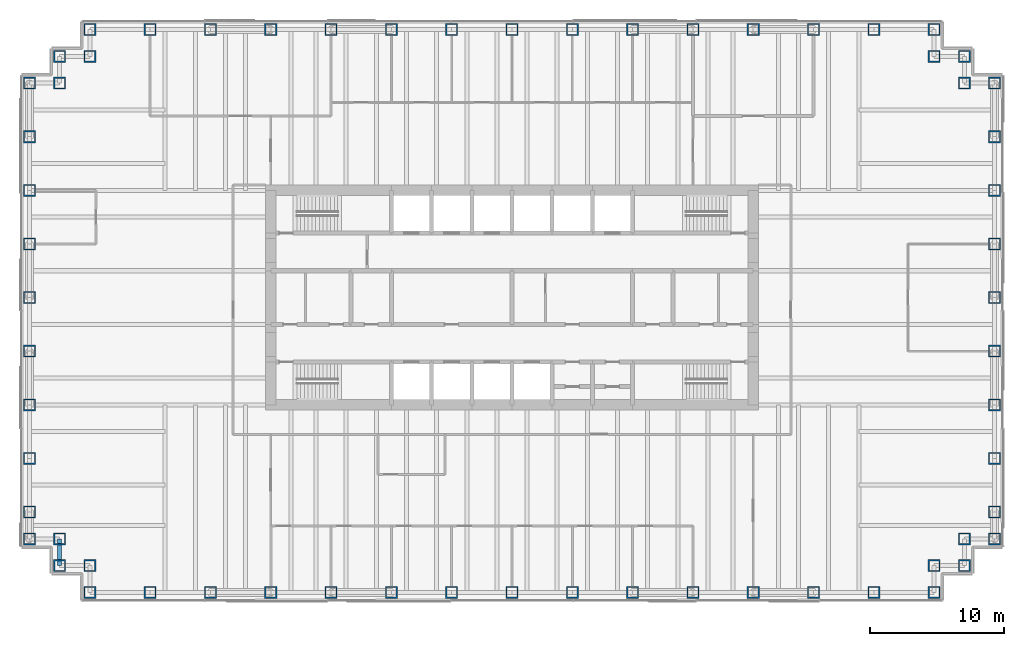
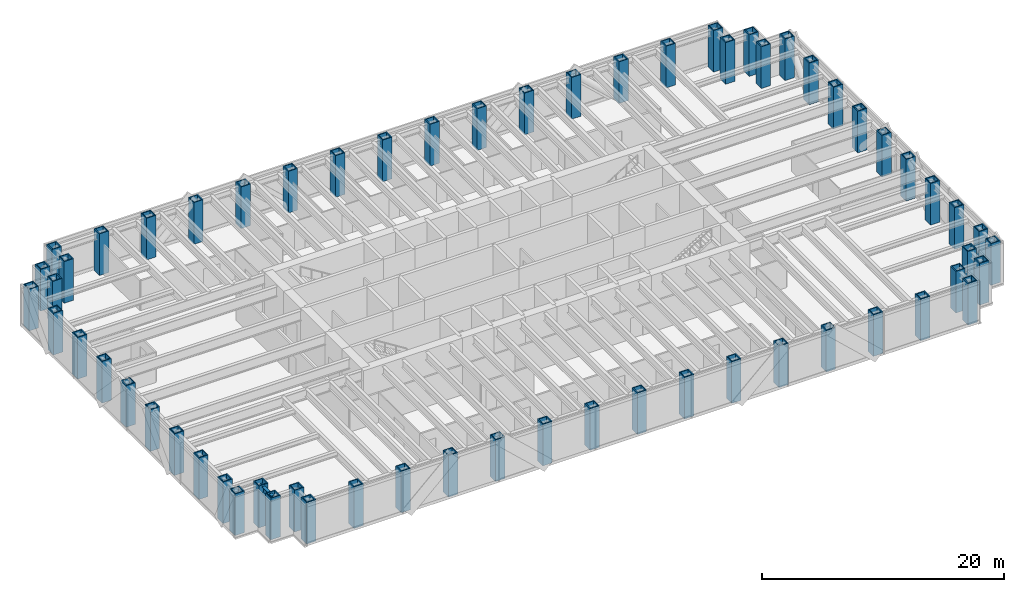
# One storey, part 1 of 14: 62 columns, 1 beam.
"""IFC4 building model written with IfcOpenShell, lengths in metres."""

from ifc_helpers import new_model, si_unit, direction, frame, origin, origin_2d, place, context, subcontext, project, spatial, hollow_rectangle, i_section, extrude, material, material_profile, profile_set, type_object, element, save


model = new_model("IFC4")

# Units and contexts
model_context = context("Model", 3, precision=1e-05, world=origin(), true_north=direction((0.0, 1.0)))
body_context = subcontext(model_context, "Body", "Model", "MODEL_VIEW")
ifc_project = project(units=[si_unit("LENGTHUNIT", "METRE"), si_unit("AREAUNIT", "SQUARE_METRE"), si_unit("VOLUMEUNIT", "CUBIC_METRE"), si_unit("PLANEANGLEUNIT", "RADIAN"), si_unit("MASSUNIT", "GRAM", prefix="KILO")], contexts=[model_context])

# Site, building, storey
site_placement = place(None, origin())
site = spatial("IfcSite", under=ifc_project, at=site_placement, CompositionType="ELEMENT")
building_placement = place(site_placement, origin())
building = spatial("IfcBuilding", under=site, at=building_placement, Name="Rheinbord Bourse Tower", CompositionType="ELEMENT")
storey_placement = place(building_placement, frame((0.0, 0.0, 194.199951171875)))
storey = spatial("IfcBuildingStorey", under=building, at=storey_placement, Name="L43", CompositionType="ELEMENT", Elevation=194.199951171875)

# Columns
ifc_material_1 = material(Name="Steel S460M", Category="steel")
ifc_material_profile_1 = material_profile(ifc_material_1, hollow_rectangle(XDim=0.89990234375, YDim=0.89990234375, WallThickness=0.090087890625, at=origin_2d()), Name="BOX 900x900x90")
ifc_profile_set_1 = profile_set([ifc_material_profile_1], Name="Steel S460M")
column_type = type_object("IfcColumnType", Name="TUBE COLUMN BOX 900x900x90", PredefinedType="COLUMN", material=ifc_profile_set_1)
for number, where, z_axis, x_axis, name in (
    (1, (4.5, 2.0, 0.0), (0.0, 0.0, 1.0), (0.0, 1.0, 0.0), "Column SW-E L43"),
    (2, (9.0, 2.0, 0.0), (0.0, 0.0, 1.0), (0.0, 1.0, 0.0), "Column S-9 L43"),
    (3, (13.5, 2.0, 0.0), (0.0, 0.0, 1.0), (0.0, 1.0, 0.0), "Column S-13.5 L43"),
    (4, (18.0, 2.0, 0.0), (0.0, 0.0, 1.0), (0.0, 1.0, 0.0), "Column S-18 L43"),
    (5, (22.5, 2.0, 0.0), (0.0, 0.0, 1.0), (0.0, 1.0, 0.0), "Column S-22.5 L43"),
    (6, (27.0, 2.0, 0.0), (0.0, 0.0, 1.0), (0.0, 1.0, 0.0), "Column S-27 L43"),
    (7, (31.5, 2.0, 0.0), (0.0, 0.0, 1.0), (0.0, 1.0, 0.0), "Column S-31.5 L43"),
    (8, (36.0, 2.0, 0.0), (0.0, 0.0, 1.0), (0.0, 1.0, 0.0), "Column S-36 L43"),
    (9, (40.5, 2.0, 0.0), (0.0, 0.0, 1.0), (0.0, 1.0, 0.0), "Column S-40.5 L43"),
    (10, (45.0, 2.0, 0.0), (0.0, 0.0, 1.0), (0.0, 1.0, 0.0), "Column S-45 L43"),
    (11, (49.5, 2.0, 0.0), (0.0, 0.0, 1.0), (0.0, 1.0, 0.0), "Column S-49.5 L43"),
    (12, (54.0, 2.0, 0.0), (0.0, 0.0, 1.0), (0.0, 1.0, 0.0), "Column S-54 L43"),
    (13, (58.5, 2.0, 0.0), (0.0, 0.0, 1.0), (0.0, 1.0, 0.0), "Column S-58.5 L43"),
    (14, (63.0, 2.0, 0.0), (0.0, 0.0, 1.0), (0.0, 1.0, 0.0), "Column S-63 L43"),
    (15, (67.5, 2.0, 0.0), (0.0, 0.0, 1.0), (0.0, 1.0, 0.0), "Column SE-E L43"),
    (16, (67.5, 4.0, 0.0), (0.0, 0.0, 1.0), (0.0, 1.0, 0.0), "Column SE-D L43"),
    (17, (69.75, 4.0, 0.0), (0.0, 0.0, 1.0), (1.0, 0.0, 0.0), "Column SE-C L43"),
    (18, (69.75, 6.0, 0.0), (0.0, 0.0, 1.0), (1.0, 0.0, 0.0), "Column SE-B L43"),
    (19, (72.0, 6.0, 0.0), (0.0, 0.0, 1.0), (1.0, 0.0, 0.0), "Column SE-A L43"),
    (20, (72.0, 8.0, 0.0), (0.0, 0.0, 1.0), (1.0, 0.0, 0.0), "Column E-8 L43"),
    (21, (72.0, 12.0, 0.0), (0.0, 0.0, 1.0), (1.0, 0.0, 0.0), "Column E-12 L43"),
    (22, (72.0, 16.0, 0.0), (0.0, 0.0, 1.0), (1.0, 0.0, 0.0), "Column E-16 L43"),
    (23, (72.0, 20.0, 0.0), (0.0, 0.0, 1.0), (1.0, 0.0, 0.0), "Column E-20 L43"),
    (24, (72.0, 24.0, 0.0), (0.0, 0.0, 1.0), (1.0, 0.0, 0.0), "Column E-24 L43"),
    (25, (72.0, 28.0, 0.0), (0.0, 0.0, 1.0), (1.0, 0.0, 0.0), "Column E-28 L43"),
    (26, (72.0, 32.0, 0.0), (0.0, 0.0, 1.0), (1.0, 0.0, 0.0), "Column E-32 L43"),
    (27, (72.0, 36.0, 0.0), (0.0, 0.0, 1.0), (1.0, 0.0, 0.0), "Column E-36 L43"),
    (28, (72.0, 40.0, 0.0), (0.0, 0.0, 1.0), (1.0, 0.0, 0.0), "Column NE-A L43"),
    (29, (69.75, 40.0, 0.0), (0.0, 0.0, 1.0), (1.0, 0.0, 0.0), "Column NE-B L43"),
    (30, (69.75, 42.0, 0.0), (0.0, 0.0, 1.0), (1.0, 0.0, 0.0), "Column NE-C L43"),
    (31, (67.5, 42.0, 0.0), (0.0, 0.0, 1.0), (0.0, 1.0, 0.0), "Column NE-D L43"),
    (32, (67.5, 44.0, 0.0), (0.0, 0.0, 1.0), (0.0, 1.0, 0.0), "Column NE-E L43"),
    (33, (63.0, 44.0, 0.0), (0.0, 0.0, 1.0), (0.0, 1.0, 0.0), "Column N-63 L43"),
    (34, (58.5, 44.0, 0.0), (0.0, 0.0, 1.0), (0.0, 1.0, 0.0), "Column N-58.5 L43"),
    (35, (54.0, 44.0, 0.0), (0.0, 0.0, 1.0), (0.0, 1.0, 0.0), "Column N-54 L43"),
    (36, (49.5, 44.0, 0.0), (0.0, 0.0, 1.0), (0.0, 1.0, 0.0), "Column N-49.5 L43"),
    (37, (45.0, 44.0, 0.0), (0.0, 0.0, 1.0), (0.0, 1.0, 0.0), "Column N-45 L43"),
    (38, (40.5, 44.0, 0.0), (0.0, 0.0, 1.0), (0.0, 1.0, 0.0), "Column N-40.5 L43"),
    (39, (36.0, 44.0, 0.0), (0.0, 0.0, 1.0), (0.0, 1.0, 0.0), "Column N-36 L43"),
    (40, (31.5, 44.0, 0.0), (0.0, 0.0, 1.0), (0.0, 1.0, 0.0), "Column N-31.5 L43"),
    (41, (27.0, 44.0, 0.0), (0.0, 0.0, 1.0), (0.0, 1.0, 0.0), "Column N-27 L43"),
    (42, (22.5, 44.0, 0.0), (0.0, 0.0, 1.0), (0.0, 1.0, 0.0), "Column N-22.5 L43"),
    (43, (18.0, 44.0, 0.0), (0.0, 0.0, 1.0), (0.0, 1.0, 0.0), "Column N-18 L43"),
    (44, (13.5, 44.0, 0.0), (0.0, 0.0, 1.0), (0.0, 1.0, 0.0), "Column N-13.5 L43"),
    (45, (9.0, 44.0, 0.0), (0.0, 0.0, 1.0), (0.0, 1.0, 0.0), "Column N-9 L43"),
    (46, (4.5, 44.0, 0.0), (0.0, 0.0, 1.0), (0.0, 1.0, 0.0), "Column NW-E L43"),
    (47, (4.5, 42.0, 0.0), (0.0, 0.0, 1.0), (0.0, 1.0, 0.0), "Column NW-D L43"),
    (48, (2.25, 42.0, 0.0), (0.0, 0.0, 1.0), (1.0, 0.0, 0.0), "Column NW-C L43"),
    (49, (2.25, 40.0, 0.0), (0.0, 0.0, 1.0), (1.0, 0.0, 0.0), "Column NW-B L43"),
    (50, (0.0, 40.0, 0.0), (0.0, 0.0, 1.0), (1.0, 0.0, 0.0), "Column NW-A L43"),
    (51, (0.0, 36.0, 0.0), (0.0, 0.0, 1.0), (1.0, 0.0, 0.0), "Column W-36 L43"),
    (52, (0.0, 32.0, 0.0), (0.0, 0.0, 1.0), (1.0, 0.0, 0.0), "Column W-32 L43"),
    (53, (0.0, 28.0, 0.0), (0.0, 0.0, 1.0), (1.0, 0.0, 0.0), "Column W-28 L43"),
    (54, (0.0, 24.0, 0.0), (0.0, 0.0, 1.0), (1.0, 0.0, 0.0), "Column W-24 L43"),
    (55, (0.0, 20.0, 0.0), (0.0, 0.0, 1.0), (1.0, 0.0, 0.0), "Column W-20 L43"),
    (56, (0.0, 16.0, 0.0), (0.0, 0.0, 1.0), (1.0, 0.0, 0.0), "Column W-16 L43"),
    (57, (0.0, 12.0, 0.0), (0.0, 0.0, 1.0), (1.0, 0.0, 0.0), "Column W-12 L43"),
    (58, (0.0, 8.0, 0.0), (0.0, 0.0, 1.0), (1.0, 0.0, 0.0), "Column W-8 L43"),
    (59, (0.0, 6.0, 0.0), (0.0, 0.0, 1.0), (1.0, 0.0, 0.0), "Column SW-A L43"),
    (60, (2.25, 6.0, 0.0), (0.0, 0.0, 1.0), (1.0, 0.0, 0.0), "Column SW-B L43"),
    (61, (2.25, 4.0, 0.0), (0.0, 0.0, 1.0), (1.0, 0.0, 0.0), "Column SW-C L43"),
    (62, (4.5, 4.0, 0.0), (0.0, 0.0, 1.0), (0.0, 1.0, 0.0), "Column SW-D L43"),
):
    element("IfcColumn", number, at=place(storey_placement, frame(where, z_axis=z_axis, x_axis=x_axis)), inside=storey, type_object=column_type, Name=name, PredefinedType="COLUMN", context=body_context, shape_type="SweptSolid", body=[
        extrude(hollow_rectangle(XDim=0.89990234375, YDim=0.89990234375, WallThickness=0.090087890625, at=origin_2d()), origin(), (0.0, 0.0, 1.0), 4.199951171875),
    ])

# Beam
ifc_material_2 = material(Name="Steel S460", Category="steel")
ifc_material_profile_2 = material_profile(ifc_material_2, i_section(OverallWidth=0.300048828125, OverallDepth=0.60009765625, WebThickness=0.015380859375, FlangeThickness=0.030029296875, at=origin_2d()), Name="HEB 600")
ifc_profile_set_2 = profile_set([ifc_material_profile_2], Name="Steel S460")
beam_type = type_object("IfcBeamType", Name="SPANDREL HEB 600", PredefinedType="SPANDREL", material=ifc_profile_set_2)
beam_placement = place(storey_placement, frame((2.25, 6.0, 3.739990234375), z_axis=(0.0, -1.0, 0.0), x_axis=(1.0, 0.0, 0.0)))
element("IfcBeam", 63, at=beam_placement, inside=storey, type_object=beam_type, Name="Spandrel SW-B-SW-C under L44", PredefinedType="SPANDREL", context=body_context, shape_type="SweptSolid", body=[
    extrude(i_section(OverallWidth=0.300048828125, OverallDepth=0.60009765625, WebThickness=0.015380859375, FlangeThickness=0.030029296875, at=origin_2d()), origin(), (0.0, 0.0, 1.0), 2.0),
])

save(model, "model.ifc")
